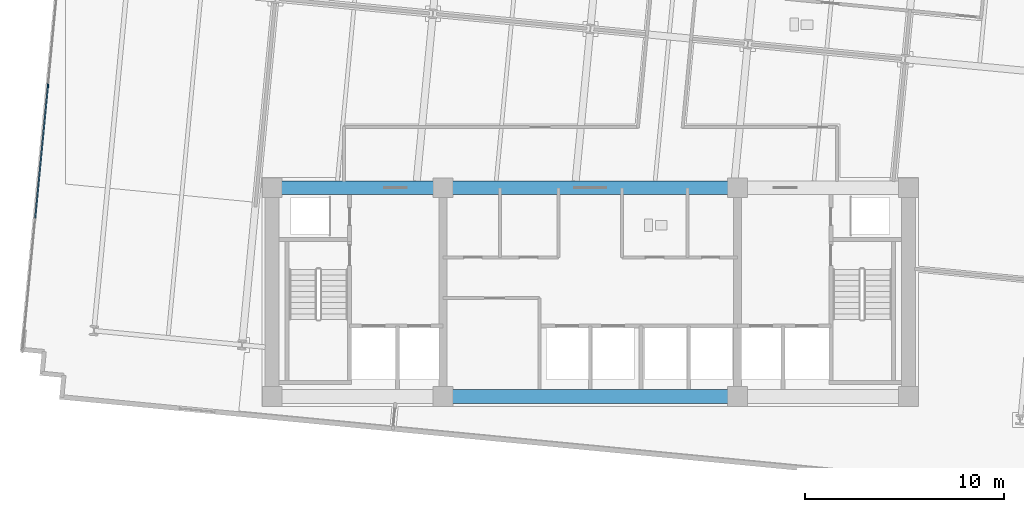
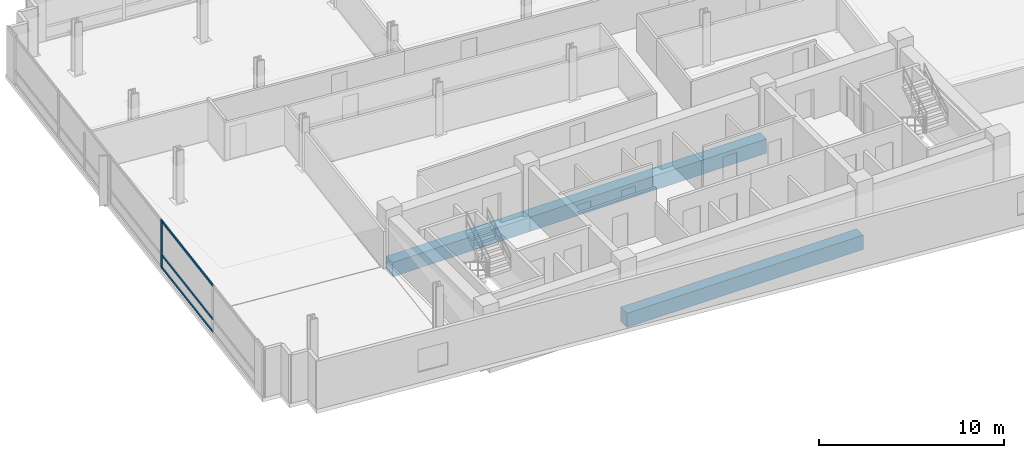
# One storey, part 3 of 16: 4 members, 3 beams, 1 element without a shape of its own.
"""IFC4 building model written with IfcOpenShell, lengths in metres."""

import ifcopenshell
import ifcopenshell.guid

model = None  # the IFC model being written
_history = None  # IfcOwnerHistory: only IFC2X3 demands one
_inside = {}  # id of a spatial element -> (the spatial element, [elements in it])
_under = {}  # id of a project, library or spatial element -> (it, [spatial elements below it])
_declared = {}  # id of a project -> (the project, [libraries it declares])
_typed = {}  # id of a type object -> (the type object, [elements of that type])
_made_of = {}  # id of a material, layer set ... -> (it, [elements and type objects made of it])


def new_model(schema):
    """Start an empty IFC model of exactly this schema.

    Asked for "IFC4X3", IfcOpenShell would pick the latest addendum, in which some entities
    have other attributes; the version numbers below select the first issue.
    IFC2X3 requires an IfcOwnerHistory on every rooted entity: one is made here for all.
    """
    global model, _history
    if schema == "IFC4X3":
        model = ifcopenshell.file(schema_version=(4, 3, 0, 0))
    else:
        model = ifcopenshell.file(schema=schema)
    _inside.clear()
    _under.clear()
    _declared.clear()
    _typed.clear()
    _made_of.clear()
    _history = None
    if model.schema == "IFC2X3":
        org = make("IfcOrganization", Name="unknown")
        user = make(
            "IfcPersonAndOrganization",
            ThePerson=make("IfcPerson", FamilyName="unknown"),
            TheOrganization=org,
        )
        app = make(
            "IfcApplication",
            ApplicationDeveloper=org,
            Version="unknown",
            ApplicationFullName="unknown",
            ApplicationIdentifier="unknown",
        )
        _history = make(
            "IfcOwnerHistory",
            OwningUser=user,
            OwningApplication=app,
            ChangeAction="ADDED",
            CreationDate=0,
        )
    return model


def make(cls, **values):
    """One entity of the class cls with the attributes given. An attribute that is None is left unset."""
    return model.create_entity(
        cls, **{name: value for name, value in values.items() if value is not None}
    )


def rooted(cls, **values):
    """An entity with a GlobalId (a new one), such as an element, a storey or a relation."""
    return make(cls, GlobalId=ifcopenshell.guid.new(), OwnerHistory=_history, **values)


def si_unit(unit_type, name, prefix=None):
    """IfcSIUnit, for example si_unit("LENGTHUNIT", "METRE", prefix="MILLI")."""
    return make("IfcSIUnit", UnitType=unit_type, Prefix=prefix, Name=name)


def assignment(units):
    """IfcUnitAssignment: the units of a project."""
    return None if units is None else make("IfcUnitAssignment", Units=units)


def point(xyz):
    """IfcCartesianPoint."""
    return None if xyz is None else make("IfcCartesianPoint", Coordinates=xyz)


def direction(xyz):
    """IfcDirection."""
    return None if xyz is None else make("IfcDirection", DirectionRatios=xyz)


def frame(location, z_axis=None, x_axis=None):
    """IfcAxis2Placement3D, a coordinate frame: its origin and axes. An axis left out is left unset."""
    return make(
        "IfcAxis2Placement3D",
        Location=point(location),
        Axis=direction(z_axis),
        RefDirection=direction(x_axis),
    )


def frame_2d(location, x_axis=None):
    """IfcAxis2Placement2D, a coordinate frame in the plane: its origin and x axis."""
    return make(
        "IfcAxis2Placement2D", Location=point(location), RefDirection=direction(x_axis)
    )


def origin():
    """The frame at (0, 0, 0) with its axes left unset."""
    return frame((0.0, 0.0, 0.0))


def origin_2d():
    """The frame at (0, 0) in the plane with its x axis left unset."""
    return frame_2d((0.0, 0.0))


def place(relative_to, where):
    """IfcLocalPlacement: puts the frame where relative to a parent placement (None: the world)."""
    return make(
        "IfcLocalPlacement", PlacementRelTo=relative_to, RelativePlacement=where
    )


def context(
    kind, dimensions, precision=None, world=None, true_north=None, identifier=None
):
    """IfcGeometricRepresentationContext, for example the 3D "Model" context."""
    return make(
        "IfcGeometricRepresentationContext",
        ContextIdentifier=identifier,
        ContextType=kind,
        CoordinateSpaceDimension=dimensions,
        Precision=precision,
        WorldCoordinateSystem=world,
        TrueNorth=true_north,
    )


def subcontext(parent, identifier, kind, view, scale=None):
    """IfcGeometricRepresentationSubContext, for example "Body" below "Model"."""
    return make(
        "IfcGeometricRepresentationSubContext",
        ContextIdentifier=identifier,
        ContextType=kind,
        ParentContext=parent,
        TargetScale=scale,
        TargetView=view,
    )


def project(units=None, contexts=None):
    """IfcProject with its units and contexts."""
    return rooted(
        "IfcProject",
        Name="project",
        RepresentationContexts=contexts,
        UnitsInContext=assignment(units),
    )


def spatial(cls, under=None, at=None, **own):
    """A site, building, storey or space (cls), placed at a placement, below another one or the project."""
    s = rooted(cls, ObjectPlacement=at, **own)
    if under is not None:
        _under.setdefault(under.id(), (under, []))[1].append(s)
    return s


def profile(cls, at=None, kind="AREA", **sizes):
    """A parametric profile (cls). Its sizes go by their IFC names, for example OverallWidth=200.0."""
    return make(cls, ProfileType=kind, Position=at, **sizes)


def rectangle(**sizes):
    """IfcRectangleProfileDef."""
    return profile("IfcRectangleProfileDef", **sizes)


def extrude(swept, where, along, depth):
    """IfcExtrudedAreaSolid: the profile swept, set in the frame where, extruded along a direction by depth."""
    return make(
        "IfcExtrudedAreaSolid",
        SweptArea=swept,
        Position=where,
        ExtrudedDirection=direction(along),
        Depth=depth,
    )


def shape(context_of_items, identifier, shape_type, items):
    """IfcShapeRepresentation: the items that make up one representation, for example the "Body"."""
    return make(
        "IfcShapeRepresentation",
        ContextOfItems=context_of_items,
        RepresentationIdentifier=identifier,
        RepresentationType=shape_type,
        Items=items,
    )


def material(Name=None, Category=None):
    """IfcMaterial."""
    return make("IfcMaterial", Name=Name, Category=Category)


def material_profile(
    of_material, cross_section, Name=None, Category=None, Priority=None
):
    """IfcMaterialProfile: a cross section and its material."""
    return make(
        "IfcMaterialProfile",
        Name=Name,
        Material=of_material,
        Profile=cross_section,
        Priority=Priority,
        Category=Category,
    )


def profile_set(profiles, Name=None, composite=None):
    """IfcMaterialProfileSet."""
    return make(
        "IfcMaterialProfileSet",
        Name=Name,
        MaterialProfiles=profiles,
        CompositeProfile=composite,
    )


def made_of(thing, what):
    """Note that an element or type object is made of a material, layer set ...; save() writes the relation."""
    if what is not None:
        _made_of.setdefault(what.id(), (what, []))[1].append(thing)
    return thing


def type_object(cls, material=None, **own):
    """A type object (cls), such as IfcWallType, which elements share."""
    return made_of(rooted(cls, **own), material)


def element(
    cls,
    number,
    at=None,
    inside=None,
    cuts=None,
    type_object=None,
    material=None,
    context=None,
    identifier="Body",
    shape_type=None,
    held_by="IfcProductDefinitionShape",
    body=None,
    shapes=None,
    **own,
):
    """One element of the class cls, such as IfcWall. Its Tag is "e" and its number.

    at: its placement. inside: the storey or other place that contains it. cuts: it is an
    opening in that element (IfcRelVoidsElement). A single representation is given by context,
    identifier, shape_type and body (its items); several are given by shapes. held_by: the class
    of the entity that holds the representations. save() writes the other relations.
    """
    e = rooted(cls, Tag="e%d" % number, ObjectPlacement=at, **own)
    if body is not None:
        shapes = [shape(context, identifier, shape_type, body)]
    if shapes is not None:
        e.Representation = make(held_by, Representations=shapes)
    if inside is not None:
        _inside.setdefault(inside.id(), (inside, []))[1].append(e)
    if cuts is not None:
        rooted(
            "IfcRelVoidsElement", RelatingBuildingElement=cuts, RelatedOpeningElement=e
        )
    if type_object is not None:
        _typed.setdefault(type_object.id(), (type_object, []))[1].append(e)
    return made_of(e, material)


def aggregate(whole, parts):
    """IfcRelAggregates: a whole, such as a stair, and the parts it consists of."""
    return rooted("IfcRelAggregates", RelatingObject=whole, RelatedObjects=parts)


def save(model, path):
    """Write the relations noted so far, then the file.

    IfcRelAggregates (storeys below a building ...), IfcRelContainedInSpatialStructure (elements
    in a storey), IfcRelDefinesByType, IfcRelAssociatesMaterial and IfcRelDeclares: one each for
    every whole, place, type object, material and project.
    """
    for whole, parts in _under.values():
        aggregate(whole, parts)
    for where, things in _inside.values():
        rooted(
            "IfcRelContainedInSpatialStructure",
            RelatedElements=things,
            RelatingStructure=where,
        )
    for kind, things in _typed.values():
        rooted("IfcRelDefinesByType", RelatedObjects=things, RelatingType=kind)
    for what, things in _made_of.values():
        rooted("IfcRelAssociatesMaterial", RelatedObjects=things, RelatingMaterial=what)
    for by, libraries in _declared.values():
        rooted("IfcRelDeclares", RelatingContext=by, RelatedDefinitions=libraries)
    model.write(path)


model = new_model("IFC4")

# Units and contexts
model_context = context("Model", 3, precision=1e-05, world=origin(), true_north=direction((0.0, 1.0)))
body_context = subcontext(model_context, "Body", "Model", "MODEL_VIEW")
ifc_project = project(units=[si_unit("LENGTHUNIT", "METRE"), si_unit("AREAUNIT", "SQUARE_METRE"), si_unit("VOLUMEUNIT", "CUBIC_METRE"), si_unit("PLANEANGLEUNIT", "RADIAN"), si_unit("MASSUNIT", "GRAM", prefix="KILO")], contexts=[model_context])

# Site, building, storey
site_placement = place(None, origin())
site = spatial("IfcSite", under=ifc_project, at=site_placement, CompositionType="ELEMENT")
building_placement = place(site_placement, origin())
building = spatial("IfcBuilding", under=site, at=building_placement, Name="Solmavex Isthmus Hotel", CompositionType="ELEMENT")
storey_placement = place(building_placement, frame((0.0, 0.0, 166.949951171875)))
storey = spatial("IfcBuildingStorey", under=building, at=storey_placement, Name="L45", CompositionType="ELEMENT", Elevation=166.949951171875)

# Beams
ifc_material_1 = material(Name="Concrete C60/75", Category="concrete")
ifc_material_profile_1 = material_profile(ifc_material_1, rectangle(XDim=0.699951171875, YDim=0.949951171875, at=origin_2d()), Name="RC700X950")
ifc_profile_set_1 = profile_set([ifc_material_profile_1], Name="Concrete C60/75")
beam_type = type_object("IfcBeamType", Name="BM-CB-700X950", PredefinedType="BEAM", material=ifc_profile_set_1)
beam_1_placement = place(storey_placement, frame((-7.39990234375, -13.0, -0.73486328125), z_axis=(1.0, 0.0, 0.0), x_axis=(0.0, 1.0, 0.0)))
element("IfcBeam", 1, at=beam_1_placement, inside=storey, type_object=beam_type, Name="Core Coupling Beam L45-CB2", PredefinedType="BEAM", context=body_context, shape_type="SweptSolid", body=[
    extrude(rectangle(XDim=0.699951171875, YDim=0.949951171875, at=origin_2d()), origin(), (0.0, 0.0, 1.0), 14.7998046875),
])
beam_2_placement = place(storey_placement, frame((-16.0, -2.5, -0.73486328125), z_axis=(1.0, 0.0, 0.0), x_axis=(0.0, 1.0, 0.0)))
element("IfcBeam", 2, at=beam_2_placement, inside=storey, type_object=beam_type, Name="Core Coupling Beam L45-CB4", PredefinedType="BEAM", context=body_context, shape_type="SweptSolid", body=[
    extrude(rectangle(XDim=0.699951171875, YDim=0.949951171875, at=origin_2d()), origin(), (0.0, 0.0, 1.0), 8.60009765625),
])
beam_3_placement = place(storey_placement, frame((-7.39990234375, -2.5, -0.73486328125), z_axis=(1.0, 0.0, 0.0), x_axis=(0.0, 1.0, 0.0)))
element("IfcBeam", 3, at=beam_3_placement, inside=storey, type_object=beam_type, Name="Core Coupling Beam L45-CB5", PredefinedType="BEAM", context=body_context, shape_type="SweptSolid", body=[
    extrude(rectangle(XDim=0.699951171875, YDim=0.949951171875, at=origin_2d()), origin(), (0.0, 0.0, 1.0), 14.7998046875),
])

# Curtain wall, members
ifc_material_2 = material(Name="Aluminium alloy 6063-T6", Category="aluminium")
curtain_wall_type = type_object("IfcCurtainWallType", Name="CW-SYS-03", PredefinedType="NOTDEFINED", material=ifc_material_2)
curtain_wall_placement = place(storey_placement, origin())
curtain_wall = element("IfcCurtainWall", 4, at=curtain_wall_placement, inside=storey, type_object=curtain_wall_type, Name="Stick Curtain Wall CWL-L45-W1", PredefinedType="NOTDEFINED")
ifc_material_profile_2 = material_profile(ifc_material_2, rectangle(XDim=0.070068359375, YDim=0.179931640625, at=origin_2d()), Name="CWM-70X180")
ifc_profile_set_2 = profile_set([ifc_material_profile_2], Name="Aluminium alloy 6063-T6")
member_type_1 = type_object("IfcMemberType", Name="CW-SYS-03-MUL", PredefinedType="MULLION", material=ifc_profile_set_2)
member_1_placement = place(storey_placement, frame((-27.2783203125, 2.6318359375, 0.0), z_axis=(0.0, 0.0, 1.0), x_axis=(-0.995396190038, 0.09584583902, 0.0)))
member_1 = element("IfcMember", 5, at=member_1_placement, type_object=member_type_1, Name="CW-03 mullion 3", PredefinedType="MULLION", context=body_context, shape_type="SweptSolid", body=[
    extrude(rectangle(XDim=0.070068359375, YDim=0.179931640625, at=origin_2d()), origin(), (0.0, 0.0, 1.0), 3.18994140625),
])
ifc_material_profile_3 = material_profile(ifc_material_2, rectangle(XDim=0.070068359375, YDim=0.139892578125, at=origin_2d()), Name="CWT-70X140")
ifc_profile_set_3 = profile_set([ifc_material_profile_3], Name="Aluminium alloy 6063-T6")
member_type_2 = type_object("IfcMemberType", Name="CW-SYS-03-TRN", PredefinedType="USERDEFINED", material=ifc_profile_set_3)
member_2_placement = place(storey_placement, frame((-27.9189453125, -4.0224609375, 0.070068359375), z_axis=(0.095820836451, 0.995398597197, 0.0), x_axis=(-0.995398597197, 0.095820836451, 0.0)))
member_2 = element("IfcMember", 6, at=member_2_placement, type_object=member_type_2, Name="CW-03 transom 2.1", ObjectType="TRANSOM", PredefinedType="USERDEFINED", context=body_context, shape_type="SweptSolid", body=[
    extrude(rectangle(XDim=0.070068359375, YDim=0.139892578125, at=origin_2d()), origin(), (0.0, 0.0, 1.0), 6.64990234375),
])
member_3_placement = place(storey_placement, frame((-27.9189453125, -4.0224609375, 0.900146484375), z_axis=(0.095820836451, 0.995398597197, 0.0), x_axis=(-0.995398597197, 0.095820836451, 0.0)))
member_3 = element("IfcMember", 7, at=member_3_placement, type_object=member_type_2, Name="CW-03 transom 2.2", ObjectType="TRANSOM", PredefinedType="USERDEFINED", context=body_context, shape_type="SweptSolid", body=[
    extrude(rectangle(XDim=0.070068359375, YDim=0.139892578125, at=origin_2d()), origin(), (0.0, 0.0, 1.0), 6.64990234375),
])
member_4_placement = place(storey_placement, frame((-27.9189453125, -4.0224609375, 3.1201171875), z_axis=(0.095820836451, 0.995398597197, 0.0), x_axis=(-0.995398597197, 0.095820836451, 0.0)))
member_4 = element("IfcMember", 8, at=member_4_placement, type_object=member_type_2, Name="CW-03 transom 2.3", ObjectType="TRANSOM", PredefinedType="USERDEFINED", context=body_context, shape_type="SweptSolid", body=[
    extrude(rectangle(XDim=0.070068359375, YDim=0.139892578125, at=origin_2d()), origin(), (0.0, 0.0, 1.0), 6.64990234375),
])
aggregate(curtain_wall, [member_1, member_2, member_3, member_4])

save(model, "model.ifc")
